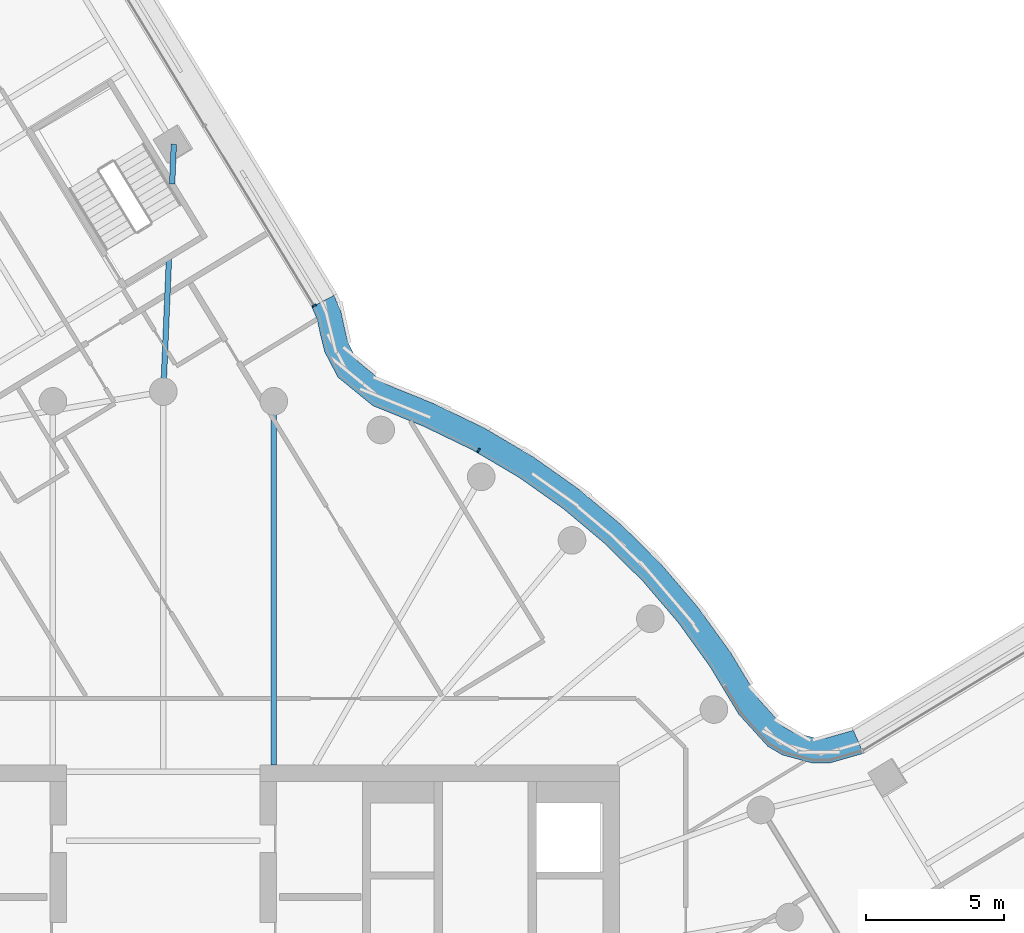
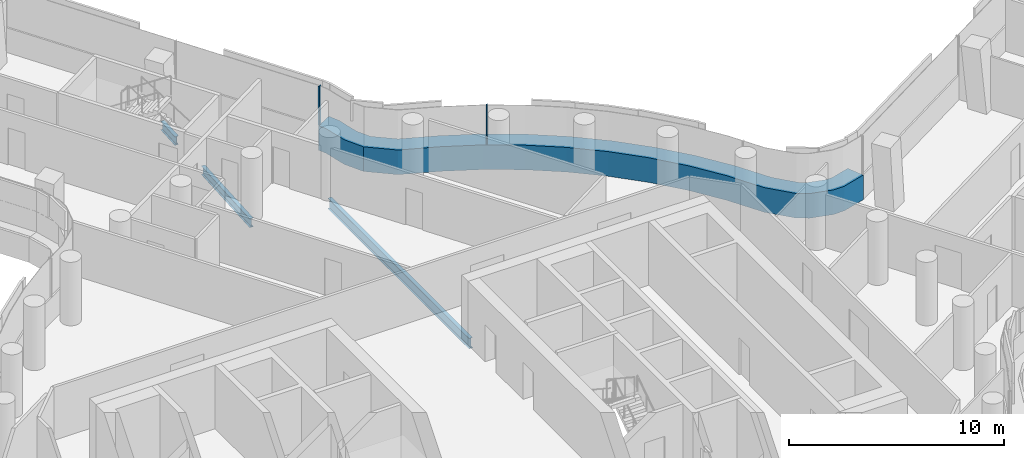
# One storey, part 15 of 35: 3 beams, 3 members, 2 elements without a shape of their own.
"""IFC4 building model written with IfcOpenShell, lengths in metres."""

from ifc_helpers import new_model, si_unit, direction, frame, origin, origin_2d, place, context, subcontext, project, spatial, polyline, rectangle, i_section, outline, extrude, material, layer, layer_set, material_profile, profile_set, type_object, element, aggregate, save


model = new_model("IFC4")

# Units and contexts
model_context = context("Model", 3, precision=1e-05, world=origin(), true_north=direction((0.0, 1.0)))
body_context = subcontext(model_context, "Body", "Model", "MODEL_VIEW")
ifc_project = project(units=[si_unit("LENGTHUNIT", "METRE"), si_unit("AREAUNIT", "SQUARE_METRE"), si_unit("VOLUMEUNIT", "CUBIC_METRE"), si_unit("PLANEANGLEUNIT", "RADIAN"), si_unit("MASSUNIT", "GRAM", prefix="KILO")], contexts=[model_context])

# Site, building, storey
site_placement = place(None, origin())
site = spatial("IfcSite", under=ifc_project, at=site_placement, CompositionType="ELEMENT")
building_placement = place(site_placement, origin())
building = spatial("IfcBuilding", under=site, at=building_placement, Name="Tamarind Cross Interchange Tower", CompositionType="ELEMENT")
storey_placement = place(building_placement, frame((0.0, 0.0, 148.0)))
storey = spatial("IfcBuildingStorey", under=building, at=storey_placement, Name="L36", CompositionType="ELEMENT", Elevation=148.0)

# Beams
ifc_material_1 = material(Name="Steel Q355B", Category="steel")
ifc_material_profile_1 = material_profile(ifc_material_1, i_section(OverallWidth=0.198974609375, OverallDepth=0.49609375, WebThickness=0.009033203125, FlangeThickness=0.013916015625, FilletRadius=0.012939453125, at=origin_2d()), Name="HN 496x199x9x14")
ifc_profile_set_1 = profile_set([ifc_material_profile_1], Name="Steel Q355B")
beam_type_1 = type_object("IfcBeamType", Name="Composite beam HN 496x199x9x14 Q355B", PredefinedType="BEAM", material=ifc_profile_set_1)
beam_1_placement = place(storey_placement, frame((0.3798828125, 31.94970703125, -0.387939453125), z_axis=(-0.042413827845, -0.99910012872, 0.0), x_axis=(0.99910012872, -0.042413827845, 0.0)))
element("IfcBeam", 1, at=beam_1_placement, inside=storey, type_object=beam_type_1, Name="Beam N-linkemt0", PredefinedType="BEAM", context=body_context, shape_type="SweptSolid", body=[
    extrude(i_section(OverallWidth=0.198974609375, OverallDepth=0.49609375, WebThickness=0.009033203125, FlangeThickness=0.013916015625, FilletRadius=0.012939453125, at=origin_2d()), origin(), (0.0, 0.0, 1.0), 1.43896484375),
])
beam_2_placement = place(storey_placement, frame((0.206298828125, 27.863037109375, -0.387939453125), z_axis=(-0.042383688415, -0.999101407744, 0.0), x_axis=(0.999101407744, -0.042383688415, 0.0)))
element("IfcBeam", 2, at=beam_2_placement, inside=storey, type_object=beam_type_1, Name="Beam N-linkemt1", PredefinedType="BEAM", context=body_context, shape_type="SweptSolid", body=[
    extrude(i_section(OverallWidth=0.198974609375, OverallDepth=0.49609375, WebThickness=0.009033203125, FlangeThickness=0.013916015625, FilletRadius=0.012939453125, at=origin_2d()), origin(), (0.0, 0.0, 1.0), 4.867431640625),
])
ifc_material_profile_2 = material_profile(ifc_material_1, i_section(OverallWidth=0.198974609375, OverallDepth=0.595947265625, WebThickness=0.010009765625, FlangeThickness=0.014892578125, FilletRadius=0.012939453125, at=origin_2d()), Name="HN 596x199x10x15")
ifc_profile_set_2 = profile_set([ifc_material_profile_2], Name="Steel Q355B")
beam_type_2 = type_object("IfcBeamType", Name="Composite beam HN 596x199x10x15 Q355B", PredefinedType="BEAM", material=ifc_profile_set_2)
beam_3_placement = place(storey_placement, frame((3.993896484375, 22.650634765625, -0.43798828125), z_axis=(0.0, -1.0, 0.0), x_axis=(1.0, 0.0, 0.0)))
element("IfcBeam", 3, at=beam_3_placement, inside=storey, type_object=beam_type_2, Name="Beam HH08", PredefinedType="BEAM", context=body_context, shape_type="SweptSolid", body=[
    extrude(i_section(OverallWidth=0.198974609375, OverallDepth=0.595947265625, WebThickness=0.010009765625, FlangeThickness=0.014892578125, FilletRadius=0.012939453125, at=origin_2d()), origin(), (0.0, 0.0, 1.0), 13.150634765625),
])

# Curtain wall, members
ifc_material_2 = material(Name="Aluminium 6063-T6", Category="aluminium")
ifc_layer = layer(ifc_material_2, 0.159912109375)
ifc_layer_set = layer_set([ifc_layer], Name="Aluminium 6063-T6")
curtain_wall_type = type_object("IfcCurtainWallType", Name="Office curtain wall, 9.0 m bays", PredefinedType="NOTDEFINED", material=ifc_layer_set)
curtain_wall_1_placement = place(storey_placement, origin())
curtain_wall_1 = element("IfcCurtainWall", 4, at=curtain_wall_1_placement, inside=storey, type_object=curtain_wall_type, Name="CWS-L36-10", PredefinedType="NOTDEFINED")
ifc_material_3 = material(Name="Aluminium and insulated spandrel panel", Category="aluminium")
member_type_1 = type_object("IfcMemberType", Name="Floor-edge blade transom", PredefinedType="USERDEFINED", material=ifc_material_3)
member_1_placement = place(storey_placement, origin())
member_1 = element("IfcMember", 5, at=member_1_placement, type_object=member_type_1, Name="CWT-L36-10", ObjectType="TRANSOM", PredefinedType="USERDEFINED", context=body_context, shape_type="SweptSolid", body=[
    extrude(outline(polyline([(25.32666015625, 9.91357421875), (24.099365234375, 9.56494140625), (23.493408203125, 9.56103515625), (22.39306640625, 9.858154296875), (21.867919921875, 10.1689453125), (20.8125, 11.331787109375), (19.78125, 13.045654296875), (18.636474609375, 14.634521484375), (17.3642578125, 16.12353515625), (15.973388671875, 17.50244140625), (14.4736328125, 18.76171875), (12.874755859375, 19.892822265625), (11.188232421875, 20.88818359375), (9.42236328125, 21.741943359375), (7.57763671875, 22.49267578125), (6.316650390625, 23.522216796875), (5.836181640625, 24.4443359375), (5.676513671875, 25.094970703125), (5.560302734375, 25.632568359375), (5.36962890625, 26.064208984375), (6.1689453125, 26.48193359375), (6.420654296875, 25.912353515625), (6.553466796875, 25.29736328125), (6.684326171875, 24.76416015625), (7.029052734375, 24.102294921875), (8.042236328125, 23.275390625), (9.788330078125, 22.564697265625), (11.613525390625, 21.68212890625), (13.3642578125, 20.64892578125), (15.023681640625, 19.474853515625), (16.580810546875, 18.167724609375), (18.0244140625, 16.736572265625), (19.344970703125, 15.19091796875), (20.533203125, 13.54150390625), (21.538330078125, 11.871337890625), (22.443115234375, 10.874267578125), (22.74609375, 10.695068359375), (23.610107421875, 10.461669921875), (23.970947265625, 10.464111328125), (24.964111328125, 10.74609375), (25.32666015625, 9.91357421875)])), origin(), (0.0, 0.0, 1.0), 1.39990234375),
])
ifc_material_profile_3 = material_profile(ifc_material_2, rectangle(XDim=0.06005859375, YDim=0.159912109375, at=origin_2d()), Name="Mullion CW1")
ifc_profile_set_3 = profile_set([ifc_material_profile_3], Name="Aluminium 6063-T6")
member_type_2 = type_object("IfcMemberType", Name="Mullion CW1", PredefinedType="MULLION", material=ifc_profile_set_3)
member_2_placement = place(storey_placement, frame((11.404541015625, 20.87646484375, 1.39990234375), z_axis=(0.0, 0.0, 1.0), x_axis=(-0.861248933065, 0.508183308752, 0.0)))
member_2 = element("IfcMember", 6, at=member_2_placement, type_object=member_type_2, Name="CWM-L36-10-02", PredefinedType="MULLION", context=body_context, shape_type="SweptSolid", body=[
    extrude(rectangle(XDim=0.06005859375, YDim=0.159912109375, at=origin_2d()), origin(), (0.0, 0.0, 1.0), 2.210205078125),
])
aggregate(curtain_wall_1, [member_2, member_1])

# Curtain wall, member
curtain_wall_2_placement = place(storey_placement, origin())
curtain_wall_2 = element("IfcCurtainWall", 7, at=curtain_wall_2_placement, inside=storey, type_object=curtain_wall_type, Name="CWS-L36-11", PredefinedType="NOTDEFINED")
member_3_placement = place(storey_placement, frame((5.45849609375, 26.110595703125, 1.39990234375), z_axis=(0.0, 0.0, 1.0), x_axis=(-0.463203229558, 0.886252090619, 0.0)))
member_3 = element("IfcMember", 8, at=member_3_placement, type_object=member_type_2, Name="CWM-L36-11-00", PredefinedType="MULLION", context=body_context, shape_type="SweptSolid", body=[
    extrude(rectangle(XDim=0.06005859375, YDim=0.159912109375, at=origin_2d()), origin(), (0.0, 0.0, 1.0), 2.210205078125),
])
aggregate(curtain_wall_2, [member_3])

save(model, "model.ifc")
